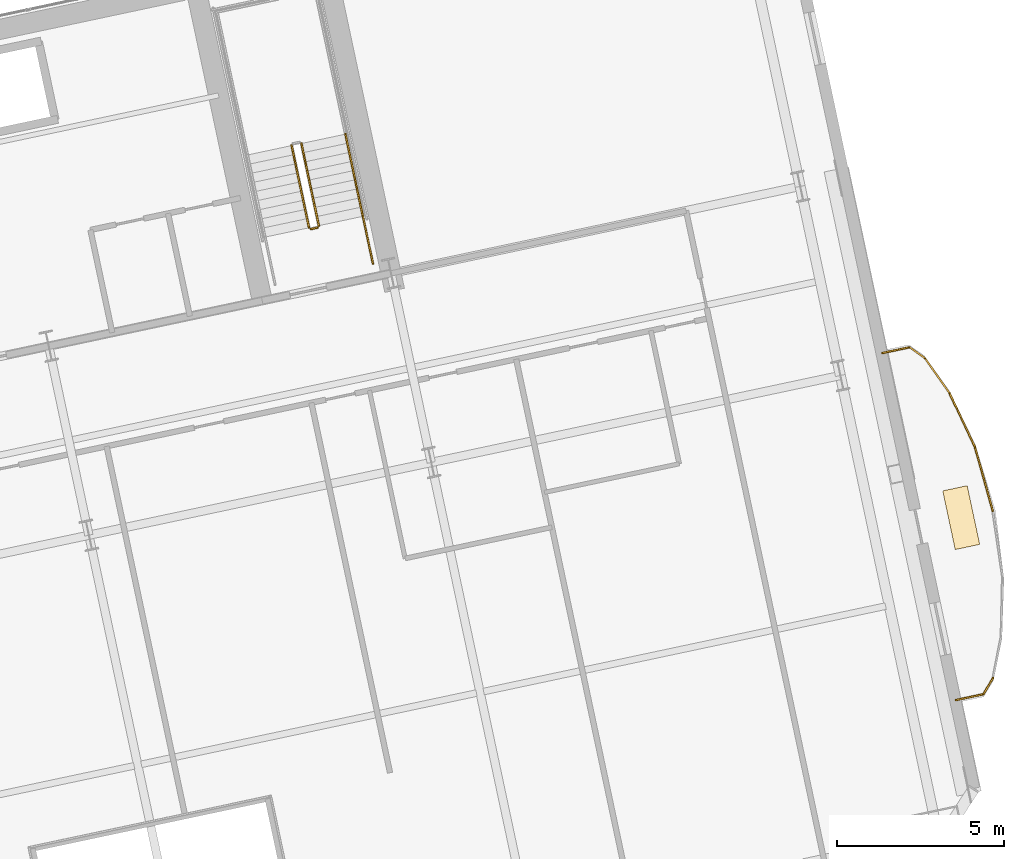
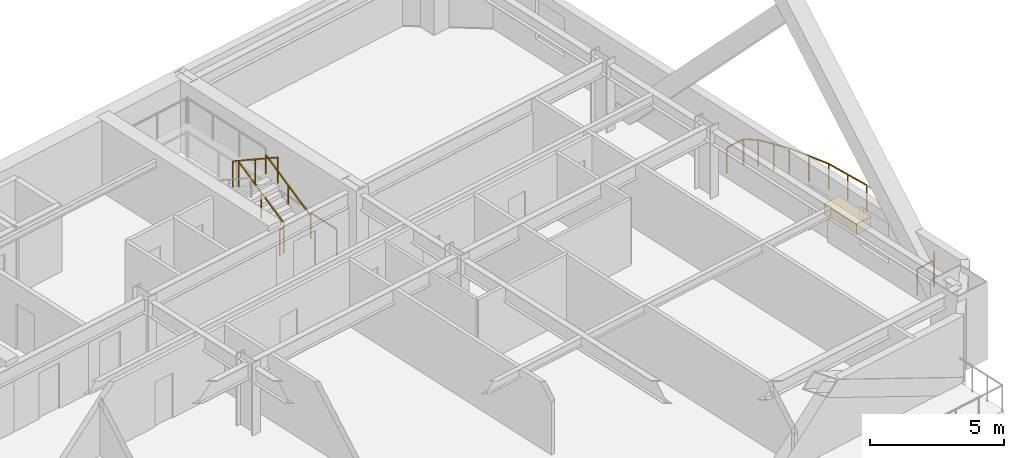
# One storey, part 23 of 25: 12 railings, 1 covering.
"""IFC4 building model written with IfcOpenShell, lengths in metres."""

from ifc_helpers import new_model, si_unit, direction, frame, origin, origin_2d, place, context, subcontext, project, spatial, rectangle, extrude, material, layer, layer_set, type_object, element, save


model = new_model("IFC4")

# Units and contexts
model_context = context("Model", 3, precision=1e-05, world=origin(), true_north=direction((0.0, 1.0)))
body_context = subcontext(model_context, "Body", "Model", "MODEL_VIEW")
ifc_project = project(units=[si_unit("LENGTHUNIT", "METRE"), si_unit("AREAUNIT", "SQUARE_METRE"), si_unit("VOLUMEUNIT", "CUBIC_METRE"), si_unit("PLANEANGLEUNIT", "RADIAN"), si_unit("MASSUNIT", "GRAM", prefix="KILO")], contexts=[model_context])

# Site, building, storey
site_placement = place(None, origin())
site = spatial("IfcSite", under=ifc_project, at=site_placement, CompositionType="ELEMENT")
building_placement = place(site_placement, origin())
building = spatial("IfcBuilding", under=site, at=building_placement, Name="Haevon Station Towers", CompositionType="ELEMENT")
storey_placement = place(building_placement, frame((0.0, 0.0, 50.39990234375)))
storey = spatial("IfcBuildingStorey", under=building, at=storey_placement, Name="L12", CompositionType="ELEMENT", Elevation=50.39990234375)

# Railings
ifc_material_1 = material(Name="Steel S355", Category="steel")
railing_type_1 = type_object("IfcRailingType", Name="GRD-EXT1200", PredefinedType="GUARDRAIL", material=ifc_material_1)
railing_1_placement = place(storey_placement, frame((136.24951171875, 29.0068359375, 0.0)))
element("IfcRailing", 1, at=railing_1_placement, inside=storey, type_object=railing_type_1, Name="L12 Perimeter Guardrail 1", PredefinedType="GUARDRAIL", context=body_context, shape_type="SweptSolid", body=[
    extrude(rectangle(XDim=0.048095703125, YDim=0.048095703125, at=origin_2d()), frame((0.0, 0.0, 1.17578125), z_axis=(0.97761867619, 0.210384704682, 0.0), x_axis=(-0.210384704682, 0.97761867619, 0.0)), (0.0, 0.0, 1.0), 0.837890625),
    extrude(rectangle(XDim=0.0419921875, YDim=0.0419921875, at=origin_2d()), origin(), (0.0, 0.0, 1.0), 1.15185546875),
    extrude(rectangle(XDim=0.0419921875, YDim=0.0419921875, at=origin_2d()), frame((0.819091796875, 0.17626953125, 0.0)), (0.0, 0.0, 1.0), 1.15185546875),
])
railing_2_placement = place(storey_placement, frame((137.068603515625, 29.18310546875, 0.0)))
element("IfcRailing", 2, at=railing_2_placement, inside=storey, type_object=railing_type_1, Name="L12 Perimeter Guardrail 2", PredefinedType="GUARDRAIL", context=body_context, shape_type="SweptSolid", body=[
    extrude(rectangle(XDim=0.048095703125, YDim=0.048095703125, at=origin_2d()), frame((0.0, 0.0, 1.17578125), z_axis=(0.508242948438, 0.861213739651, 0.0), x_axis=(-0.861213739651, 0.508242948438, 0.0)), (0.0, 0.0, 1.0), 0.55810546875),
    extrude(rectangle(XDim=0.0419921875, YDim=0.0419921875, at=origin_2d()), origin(), (0.0, 0.0, 1.0), 1.15185546875),
    extrude(rectangle(XDim=0.0419921875, YDim=0.0419921875, at=origin_2d()), frame((0.28369140625, 0.480712890625, 0.0)), (0.0, 0.0, 1.0), 1.15185546875),
])
railing_3_placement = place(storey_placement, frame((137.348388671875, 34.681640625, 0.0)))
element("IfcRailing", 3, at=railing_3_placement, inside=storey, type_object=railing_type_1, Name="L12 Perimeter Guardrail 6", PredefinedType="GUARDRAIL", context=body_context, shape_type="SweptSolid", body=[
    extrude(rectangle(XDim=0.048095703125, YDim=0.048095703125, at=origin_2d()), frame((0.0, 0.0, 1.17578125), z_axis=(-0.269226284082, 0.963076948099, 0.0), x_axis=(-0.963076948099, -0.269226284082, 0.0)), (0.0, 0.0, 1.0), 1.996826171875),
    extrude(rectangle(XDim=0.0419921875, YDim=0.0419921875, at=origin_2d()), origin(), (0.0, 0.0, 1.0), 1.15185546875),
    extrude(rectangle(XDim=0.0419921875, YDim=0.0419921875, at=origin_2d()), frame((-0.268798828125, 0.96142578125, 0.0)), (0.0, 0.0, 1.0), 1.15185546875),
    extrude(rectangle(XDim=0.0419921875, YDim=0.0419921875, at=origin_2d()), frame((-0.53759765625, 1.923095703125, 0.0)), (0.0, 0.0, 1.0), 1.15185546875),
])
railing_4_placement = place(storey_placement, frame((136.810791015625, 36.604736328125, 0.0)))
element("IfcRailing", 4, at=railing_4_placement, inside=storey, type_object=railing_type_1, Name="L12 Perimeter Guardrail 7", PredefinedType="GUARDRAIL", context=body_context, shape_type="SweptSolid", body=[
    extrude(rectangle(XDim=0.048095703125, YDim=0.048095703125, at=origin_2d()), frame((0.0, 0.0, 1.17578125), z_axis=(-0.427676850936, 0.903931696077, 0.0), x_axis=(-0.903931696077, -0.427676850936, 0.0)), (0.0, 0.0, 1.0), 1.794189453125),
    extrude(rectangle(XDim=0.0419921875, YDim=0.0419921875, at=origin_2d()), origin(), (0.0, 0.0, 1.0), 1.15185546875),
    extrude(rectangle(XDim=0.0419921875, YDim=0.0419921875, at=origin_2d()), frame((-0.3837890625, 0.81103515625, 0.0)), (0.0, 0.0, 1.0), 1.15185546875),
    extrude(rectangle(XDim=0.0419921875, YDim=0.0419921875, at=origin_2d()), frame((-0.767333984375, 1.621826171875, 0.0)), (0.0, 0.0, 1.0), 1.15185546875),
])
railing_5_placement = place(storey_placement, frame((136.04345703125, 38.2265625, 0.0)))
element("IfcRailing", 5, at=railing_5_placement, inside=storey, type_object=railing_type_1, Name="L12 Perimeter Guardrail 8", PredefinedType="GUARDRAIL", context=body_context, shape_type="SweptSolid", body=[
    extrude(rectangle(XDim=0.048095703125, YDim=0.048095703125, at=origin_2d()), frame((0.0, 0.0, 1.17578125), z_axis=(-0.575597959633, 0.817732834651, 0.0), x_axis=(-0.817732834651, -0.575597959633, 0.0)), (0.0, 0.0, 1.0), 1.2724609375),
    extrude(rectangle(XDim=0.0419921875, YDim=0.0419921875, at=origin_2d()), origin(), (0.0, 0.0, 1.0), 1.15185546875),
    extrude(rectangle(XDim=0.0419921875, YDim=0.0419921875, at=origin_2d()), frame((-0.3662109375, 0.520263671875, 0.0)), (0.0, 0.0, 1.0), 1.15185546875),
    extrude(rectangle(XDim=0.0419921875, YDim=0.0419921875, at=origin_2d()), frame((-0.732421875, 1.04052734375, 0.0)), (0.0, 0.0, 1.0), 1.15185546875),
])
railing_6_placement = place(storey_placement, frame((135.31103515625, 39.26708984375, 0.0)))
element("IfcRailing", 6, at=railing_6_placement, inside=storey, type_object=railing_type_1, Name="L12 Perimeter Guardrail 9", PredefinedType="GUARDRAIL", context=body_context, shape_type="SweptSolid", body=[
    extrude(rectangle(XDim=0.048095703125, YDim=0.048095703125, at=origin_2d()), frame((0.0, 0.0, 1.17578125), z_axis=(-0.814500812196, 0.58016241427, 0.0), x_axis=(-0.58016241427, -0.814500812196, 0.0)), (0.0, 0.0, 1.0), 0.558349609375),
    extrude(rectangle(XDim=0.0419921875, YDim=0.0419921875, at=origin_2d()), origin(), (0.0, 0.0, 1.0), 1.15185546875),
    extrude(rectangle(XDim=0.0419921875, YDim=0.0419921875, at=origin_2d()), frame((-0.454833984375, 0.323974609375, 0.0)), (0.0, 0.0, 1.0), 1.15185546875),
])
railing_7_placement = place(storey_placement, frame((134.856201171875, 39.591064453125, 0.0)))
element("IfcRailing", 7, at=railing_7_placement, inside=storey, type_object=railing_type_1, Name="L12 Perimeter Guardrail 10", PredefinedType="GUARDRAIL", context=body_context, shape_type="SweptSolid", body=[
    extrude(rectangle(XDim=0.048095703125, YDim=0.048095703125, at=origin_2d()), frame((0.0, 0.0, 1.17578125), z_axis=(-0.978605406054, -0.205746103834, 0.0), x_axis=(0.205746103834, -0.978605406054, 0.0)), (0.0, 0.0, 1.0), 0.837646484375),
    extrude(rectangle(XDim=0.0419921875, YDim=0.0419921875, at=origin_2d()), origin(), (0.0, 0.0, 1.0), 1.15185546875),
    extrude(rectangle(XDim=0.0419921875, YDim=0.0419921875, at=origin_2d()), frame((-0.81982421875, -0.17236328125, 0.0)), (0.0, 0.0, 1.0), 1.15185546875),
])
railing_type_2 = type_object("IfcRailingType", Name="GRD-STR1200", PredefinedType="GUARDRAIL", material=ifc_material_1)
railing_8_placement = place(storey_placement, frame((117.128662109375, 43.23974609375, 0.1650390625)))
element("IfcRailing", 8, at=railing_8_placement, inside=storey, type_object=railing_type_2, Name="L12 ST4 Stair Guard 1", PredefinedType="GUARDRAIL", context=body_context, shape_type="SweptSolid", body=[
    extrude(rectangle(XDim=0.048095703125, YDim=0.048095703125, at=origin_2d()), frame((0.0, 0.0, 1.17578125), z_axis=(-0.179121265225, 0.842687928106, 0.507732831485), x_axis=(-0.978147030254, -0.207914374695, 0.0)), (0.0, 0.0, 1.0), 2.925048828125),
    extrude(rectangle(XDim=0.0419921875, YDim=0.0419921875, at=origin_2d()), origin(), (0.0, 0.0, 1.0), 1.15185546875),
    extrude(rectangle(XDim=0.0419921875, YDim=0.0419921875, at=origin_2d()), frame((-0.261962890625, 1.232421875, 0.74267578125)), (0.0, 0.0, 1.0), 1.15185546875),
    extrude(rectangle(XDim=0.0419921875, YDim=0.0419921875, at=origin_2d()), frame((-0.52392578125, 2.46484375, 1.485107421875)), (0.0, 0.0, 1.0), 1.15185546875),
])
railing_9_placement = place(storey_placement, frame((116.311279296875, 45.642333984375, 1.815185546875)))
element("IfcRailing", 9, at=railing_9_placement, inside=storey, type_object=railing_type_2, Name="L12 ST4 Stair Guard 6", PredefinedType="GUARDRAIL", context=body_context, shape_type="SweptSolid", body=[
    extrude(rectangle(XDim=0.048095703125, YDim=0.048095703125, at=origin_2d()), frame((0.0, 0.0, 1.17578125), z_axis=(0.179116256339, -0.842747828638, 0.507635168246), x_axis=(0.978151217824, 0.207894673017, 0.0)), (0.0, 0.0, 1.0), 2.925048828125),
    extrude(rectangle(XDim=0.0419921875, YDim=0.0419921875, at=origin_2d()), origin(), (0.0, 0.0, 1.0), 1.15185546875),
    extrude(rectangle(XDim=0.0419921875, YDim=0.0419921875, at=origin_2d()), frame((0.261962890625, -1.232421875, 0.742431640625)), (0.0, 0.0, 1.0), 1.15185546875),
    extrude(rectangle(XDim=0.0419921875, YDim=0.0419921875, at=origin_2d()), frame((0.52392578125, -2.465087890625, 1.48486328125)), (0.0, 0.0, 1.0), 1.15185546875),
])
railing_10_placement = place(storey_placement, frame((117.090087890625, 43.180419921875, 0.0)))
element("IfcRailing", 10, at=railing_10_placement, inside=storey, type_object=railing_type_2, Name="L12 ST4 Stair Guard 7", PredefinedType="GUARDRAIL", context=body_context, shape_type="SweptSolid", body=[
    extrude(rectangle(XDim=0.048095703125, YDim=0.048095703125, at=origin_2d()), frame((0.0, 0.0, 1.17578125), z_axis=(-0.978211583308, -0.207610448392, 0.0), x_axis=(0.207610448392, -0.978211583308, 0.0)), (0.0, 0.0, 1.0), 0.199951171875),
    extrude(rectangle(XDim=0.0419921875, YDim=0.0419921875, at=origin_2d()), origin(), (0.0, 0.0, 1.0), 1.15185546875),
    extrude(rectangle(XDim=0.0419921875, YDim=0.0419921875, at=origin_2d()), frame((-0.195556640625, -0.04150390625, 0.0)), (0.0, 0.0, 1.0), 1.15185546875),
])
railing_11_placement = place(storey_placement, frame((118.75048828125, 42.10205078125, 0.0)))
element("IfcRailing", 11, at=railing_11_placement, inside=storey, type_object=railing_type_2, Name="L12 ST4 Stair Guard 8", PredefinedType="GUARDRAIL", context=body_context, shape_type="SweptSolid", body=[
    extrude(rectangle(XDim=0.048095703125, YDim=0.048095703125, at=origin_2d()), frame((0.0, 0.0, 1.17578125), z_axis=(-0.207919161079, 0.978146012851, 0.0), x_axis=(-0.978146012851, -0.207919161079, 0.0)), (0.0, 0.0, 1.0), 1.4501953125),
    extrude(rectangle(XDim=0.0419921875, YDim=0.0419921875, at=origin_2d()), origin(), (0.0, 0.0, 1.0), 1.15185546875),
    extrude(rectangle(XDim=0.0419921875, YDim=0.0419921875, at=origin_2d()), frame((-0.301513671875, 1.41845703125, 0.0)), (0.0, 0.0, 1.0), 1.15185546875),
])
railing_type_3 = type_object("IfcRailingType", Name="HND-STR900", PredefinedType="HANDRAIL", material=ifc_material_1)
railing_12_placement = place(storey_placement, frame((118.448974609375, 43.5205078125, 0.1650390625)))
element("IfcRailing", 12, at=railing_12_placement, inside=storey, type_object=railing_type_3, Name="L12 ST4 Stair Handrail 1", PredefinedType="HANDRAIL", context=body_context, shape_type="SweptSolid", body=[
    extrude(rectangle(XDim=0.048095703125, YDim=0.048095703125, at=origin_2d()), frame((0.0, 0.0, 0.8759765625), z_axis=(-0.179121265225, 0.842687928106, 0.507732831485), x_axis=(-0.978147030254, -0.207914374695, 0.0)), (0.0, 0.0, 1.0), 2.925048828125),
    extrude(rectangle(XDim=0.0419921875, YDim=0.0419921875, at=origin_2d()), origin(), (0.0, 0.0, 1.0), 0.851806640625),
    extrude(rectangle(XDim=0.0419921875, YDim=0.0419921875, at=origin_2d()), frame((-0.261962890625, 1.232421875, 0.74267578125)), (0.0, 0.0, 1.0), 0.851806640625),
    extrude(rectangle(XDim=0.0419921875, YDim=0.0419921875, at=origin_2d()), frame((-0.52392578125, 2.46484375, 1.485107421875)), (0.0, 0.0, 1.0), 0.851806640625),
])

# Covering
ifc_material_2 = material(Name="Architectural planter GRC", Category="concrete")
ifc_layer = layer(ifc_material_2, 0.550048828125)
ifc_layer_set = layer_set([ifc_layer], Name="Architectural planter GRC")
covering_type = type_object("IfcCoveringType", Name="PLN-GRC550", PredefinedType="MOLDING", material=ifc_layer_set)
covering_placement = place(storey_placement, frame((136.401611328125, 34.48046875, 0.0), z_axis=(0.0, 0.0, 1.0), x_axis=(0.978147600734, 0.207911690818, 0.0)))
element("IfcCovering", 13, at=covering_placement, inside=storey, type_object=covering_type, Name="Tower 2 L12 Scalloped Balcony PLANTER", PredefinedType="MOLDING", context=body_context, shape_type="SweptSolid", body=[
    extrude(rectangle(XDim=0.75, YDim=1.800048828125, at=origin_2d()), origin(), (0.0, 0.0, 1.0), 0.5),
])

save(model, "model.ifc")
